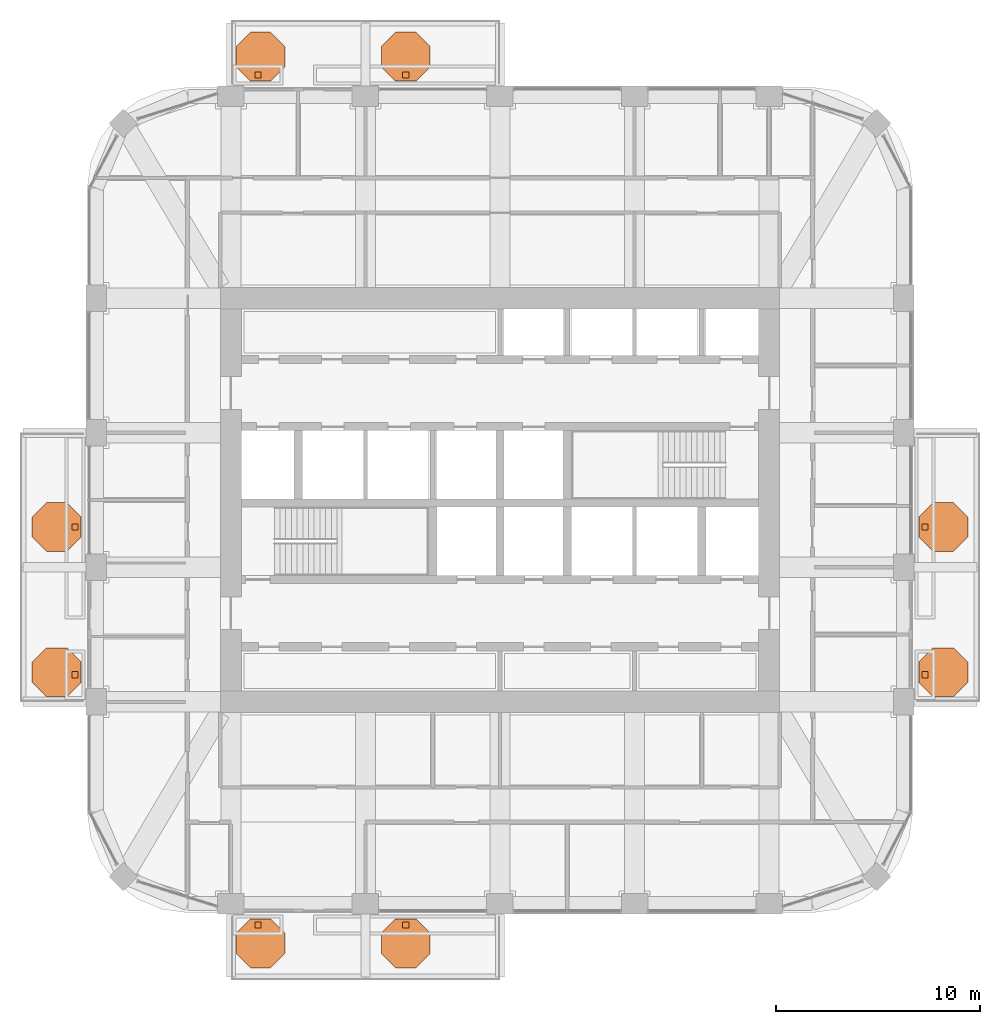
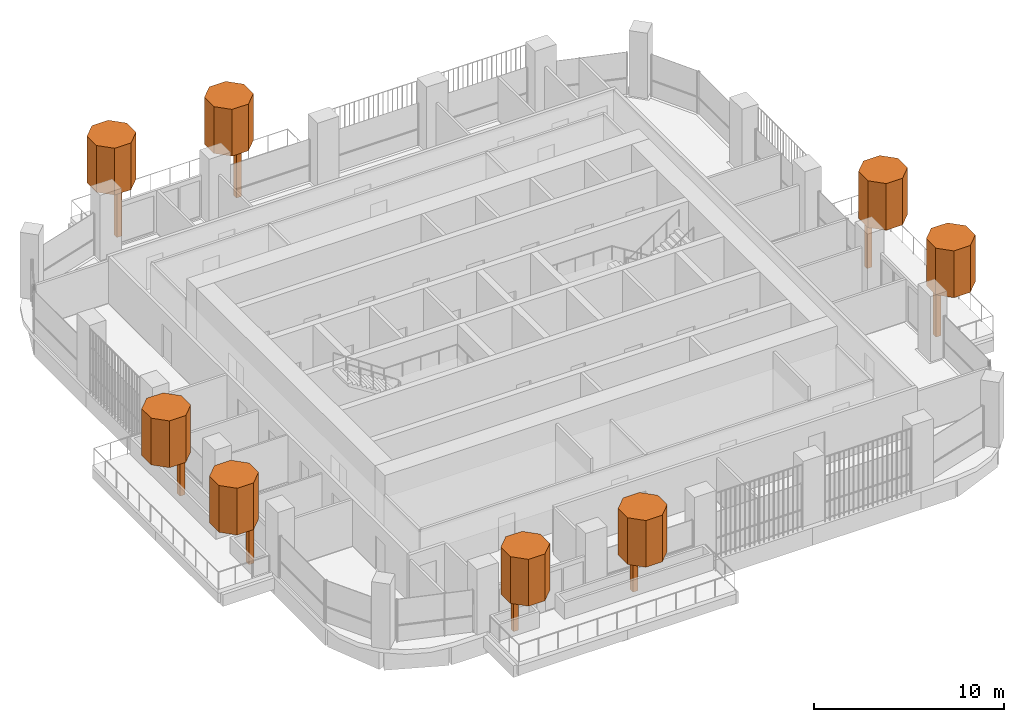
# One storey, part 20 of 20: 16 geographic elements.
"""IFC4 building model written with IfcOpenShell, lengths in metres."""

from ifc_helpers import new_model, si_unit, direction, frame, origin, origin_2d, place, context, subcontext, project, spatial, polyline, rectangle, outline, extrude, material, type_object, element, save


model = new_model("IFC4")

# Units and contexts
model_context = context("Model", 3, precision=1e-05, world=origin(), true_north=direction((0.0, 1.0)))
body_context = subcontext(model_context, "Body", "Model", "MODEL_VIEW")
ifc_project = project(units=[si_unit("LENGTHUNIT", "METRE"), si_unit("AREAUNIT", "SQUARE_METRE"), si_unit("VOLUMEUNIT", "CUBIC_METRE"), si_unit("PLANEANGLEUNIT", "RADIAN"), si_unit("MASSUNIT", "GRAM", prefix="KILO")], contexts=[model_context])

# Site, building, storey
site_placement = place(None, origin())
site = spatial("IfcSite", under=ifc_project, at=site_placement, CompositionType="ELEMENT")
building_placement = place(site_placement, origin())
building = spatial("IfcBuilding", under=site, at=building_placement, Name="Cobogo Forest Laboratory Tower", CompositionType="ELEMENT")
storey_placement = place(building_placement, frame((0.0, 0.0, 254.39990234375)))
storey = spatial("IfcBuildingStorey", under=building, at=storey_placement, Name="L58", CompositionType="ELEMENT", Elevation=254.39990234375)

# Geographic elements
ifc_material = material(Name="Planting", Category="plant")
geographic_element_type_1 = type_object("IfcGeographicElementType", Name="Tree trunk 300", PredefinedType="USERDEFINED", material=ifc_material)
for number, where, z_axis, x_axis, name in (
    (1, (14.52490234375, 2.25, 0.000244140625), (0.0, 0.0, 1.0), (1.0, 0.0, 0.0), "Tree trunk BAL-S1-PL1 L58"),
    (2, (21.77490234375, 2.25, 0.000244140625), (0.0, 0.0, 1.0), (1.0, 0.0, 0.0), "Tree trunk BAL-S1-PL2 L58"),
    (3, (47.25, 14.52490234375, 0.000244140625), (0.0, 0.0, 1.0), (1.0, 0.0, 0.0), "Tree trunk BAL-E1-PL1 L58"),
    (4, (47.25, 21.77490234375, 0.000244140625), (0.0, 0.0, 1.0), (1.0, 0.0, 0.0), "Tree trunk BAL-E1-PL2 L58"),
    (5, (14.52490234375, 43.949951171875, 0.000244140625), (0.0, 0.0, 1.0), (1.0, 0.0, 0.0), "Tree trunk BAL-N1-PL1 L58"),
    (6, (21.77490234375, 43.949951171875, 0.000244140625), (0.0, 0.0, 1.0), (1.0, 0.0, 0.0), "Tree trunk BAL-N1-PL2 L58"),
    (7, (5.550048828125, 14.52490234375, 0.000244140625), (0.0, 0.0, 1.0), (1.0, 0.0, 0.0), "Tree trunk BAL-W1-PL1 L58"),
    (8, (5.550048828125, 21.77490234375, 0.000244140625), (0.0, 0.0, 1.0), (1.0, 0.0, 0.0), "Tree trunk BAL-W1-PL2 L58"),
):
    element("IfcGeographicElement", number, at=place(storey_placement, frame(where, z_axis=z_axis, x_axis=x_axis)), inside=storey, type_object=geographic_element_type_1, Name=name, ObjectType="TREE TRUNK", PredefinedType="USERDEFINED", context=body_context, shape_type="SweptSolid", body=[
        extrude(rectangle(XDim=0.300048828125, YDim=0.300048828125, at=origin_2d()), origin(), (0.0, 0.0, 1.0), 2.89990234375),
    ])
geographic_element_type_2 = type_object("IfcGeographicElementType", Name="Tree, holm oak 5 m", PredefinedType="USERDEFINED", material=ifc_material)
geographic_element_1_placement = place(storey_placement, frame((0.0, 0.0, 2.900146484375)))
element("IfcGeographicElement", 9, at=geographic_element_1_placement, inside=storey, type_object=geographic_element_type_2, Name="Holm tree BAL-S1-PL1 L58", ObjectType="TREE", PredefinedType="USERDEFINED", context=body_context, shape_type="SweptSolid", body=[
    extrude(outline(polyline([(15.85009765625, 0.85302734375), (15.85009765625, 1.84716796875), (15.14697265625, 2.550048828125), (14.15283203125, 2.550048828125), (13.449951171875, 1.84716796875), (13.449951171875, 0.85302734375), (14.15283203125, 0.14990234375), (15.14697265625, 0.14990234375), (15.85009765625, 0.85302734375)])), origin(), (0.0, 0.0, 1.0), 3.0),
])
geographic_element_2_placement = place(storey_placement, frame((0.0, 0.0, 2.900146484375)))
element("IfcGeographicElement", 10, at=geographic_element_2_placement, inside=storey, type_object=geographic_element_type_2, Name="Holm tree BAL-S1-PL2 L58", ObjectType="TREE", PredefinedType="USERDEFINED", context=body_context, shape_type="SweptSolid", body=[
    extrude(outline(polyline([(22.97509765625, 0.85302734375), (22.97509765625, 1.84716796875), (22.27197265625, 2.550048828125), (21.27783203125, 2.550048828125), (20.574951171875, 1.84716796875), (20.574951171875, 0.85302734375), (21.27783203125, 0.14990234375), (22.27197265625, 0.14990234375), (22.97509765625, 0.85302734375)])), origin(), (0.0, 0.0, 1.0), 3.0),
])
geographic_element_3_placement = place(storey_placement, frame((0.0, 0.0, 2.900146484375)))
element("IfcGeographicElement", 11, at=geographic_element_3_placement, inside=storey, type_object=geographic_element_type_2, Name="Holm tree BAL-E1-PL1 L58", ObjectType="TREE", PredefinedType="USERDEFINED", context=body_context, shape_type="SweptSolid", body=[
    extrude(outline(polyline([(49.35009765625, 14.15283203125), (49.35009765625, 15.14697265625), (48.64697265625, 15.85009765625), (47.65283203125, 15.85009765625), (46.949951171875, 15.14697265625), (46.949951171875, 14.15283203125), (47.65283203125, 13.449951171875), (48.64697265625, 13.449951171875), (49.35009765625, 14.15283203125)])), origin(), (0.0, 0.0, 1.0), 3.0),
])
geographic_element_4_placement = place(storey_placement, frame((0.0, 0.0, 2.900146484375)))
element("IfcGeographicElement", 12, at=geographic_element_4_placement, inside=storey, type_object=geographic_element_type_2, Name="Holm tree BAL-E1-PL2 L58", ObjectType="TREE", PredefinedType="USERDEFINED", context=body_context, shape_type="SweptSolid", body=[
    extrude(outline(polyline([(49.35009765625, 21.27783203125), (49.35009765625, 22.27197265625), (48.64697265625, 22.97509765625), (47.65283203125, 22.97509765625), (46.949951171875, 22.27197265625), (46.949951171875, 21.27783203125), (47.65283203125, 20.574951171875), (48.64697265625, 20.574951171875), (49.35009765625, 21.27783203125)])), origin(), (0.0, 0.0, 1.0), 3.0),
])
geographic_element_5_placement = place(storey_placement, frame((0.0, 0.0, 2.900146484375)))
element("IfcGeographicElement", 13, at=geographic_element_5_placement, inside=storey, type_object=geographic_element_type_2, Name="Holm tree BAL-N1-PL1 L58", ObjectType="TREE", PredefinedType="USERDEFINED", context=body_context, shape_type="SweptSolid", body=[
    extrude(outline(polyline([(15.85009765625, 44.35302734375), (15.85009765625, 45.34716796875), (15.14697265625, 46.050048828125), (14.15283203125, 46.050048828125), (13.449951171875, 45.34716796875), (13.449951171875, 44.35302734375), (14.15283203125, 43.64990234375), (15.14697265625, 43.64990234375), (15.85009765625, 44.35302734375)])), origin(), (0.0, 0.0, 1.0), 3.0),
])
geographic_element_6_placement = place(storey_placement, frame((0.0, 0.0, 2.900146484375)))
element("IfcGeographicElement", 14, at=geographic_element_6_placement, inside=storey, type_object=geographic_element_type_2, Name="Holm tree BAL-N1-PL2 L58", ObjectType="TREE", PredefinedType="USERDEFINED", context=body_context, shape_type="SweptSolid", body=[
    extrude(outline(polyline([(22.97509765625, 44.35302734375), (22.97509765625, 45.34716796875), (22.27197265625, 46.050048828125), (21.27783203125, 46.050048828125), (20.574951171875, 45.34716796875), (20.574951171875, 44.35302734375), (21.27783203125, 43.64990234375), (22.27197265625, 43.64990234375), (22.97509765625, 44.35302734375)])), origin(), (0.0, 0.0, 1.0), 3.0),
])
geographic_element_7_placement = place(storey_placement, frame((0.0, 0.0, 2.900146484375)))
element("IfcGeographicElement", 15, at=geographic_element_7_placement, inside=storey, type_object=geographic_element_type_2, Name="Holm tree BAL-W1-PL1 L58", ObjectType="TREE", PredefinedType="USERDEFINED", context=body_context, shape_type="SweptSolid", body=[
    extrude(outline(polyline([(5.85009765625, 14.15283203125), (5.85009765625, 15.14697265625), (5.14697265625, 15.85009765625), (4.15283203125, 15.85009765625), (3.449951171875, 15.14697265625), (3.449951171875, 14.15283203125), (4.15283203125, 13.449951171875), (5.14697265625, 13.449951171875), (5.85009765625, 14.15283203125)])), origin(), (0.0, 0.0, 1.0), 3.0),
])
geographic_element_8_placement = place(storey_placement, frame((0.0, 0.0, 2.900146484375)))
element("IfcGeographicElement", 16, at=geographic_element_8_placement, inside=storey, type_object=geographic_element_type_2, Name="Holm tree BAL-W1-PL2 L58", ObjectType="TREE", PredefinedType="USERDEFINED", context=body_context, shape_type="SweptSolid", body=[
    extrude(outline(polyline([(5.85009765625, 21.27783203125), (5.85009765625, 22.27197265625), (5.14697265625, 22.97509765625), (4.15283203125, 22.97509765625), (3.449951171875, 22.27197265625), (3.449951171875, 21.27783203125), (4.15283203125, 20.574951171875), (5.14697265625, 20.574951171875), (5.85009765625, 21.27783203125)])), origin(), (0.0, 0.0, 1.0), 3.0),
])

save(model, "model.ifc")
